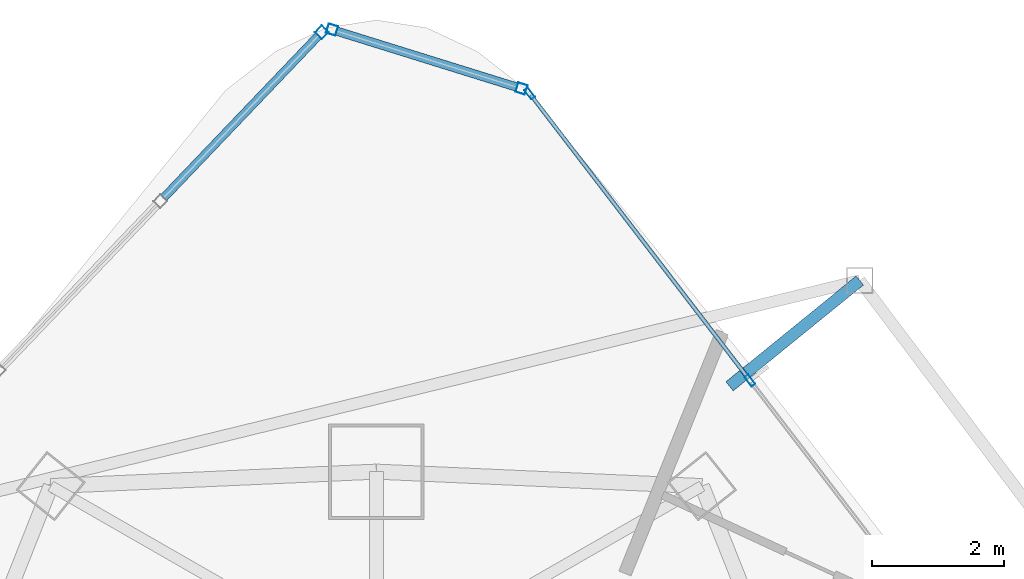
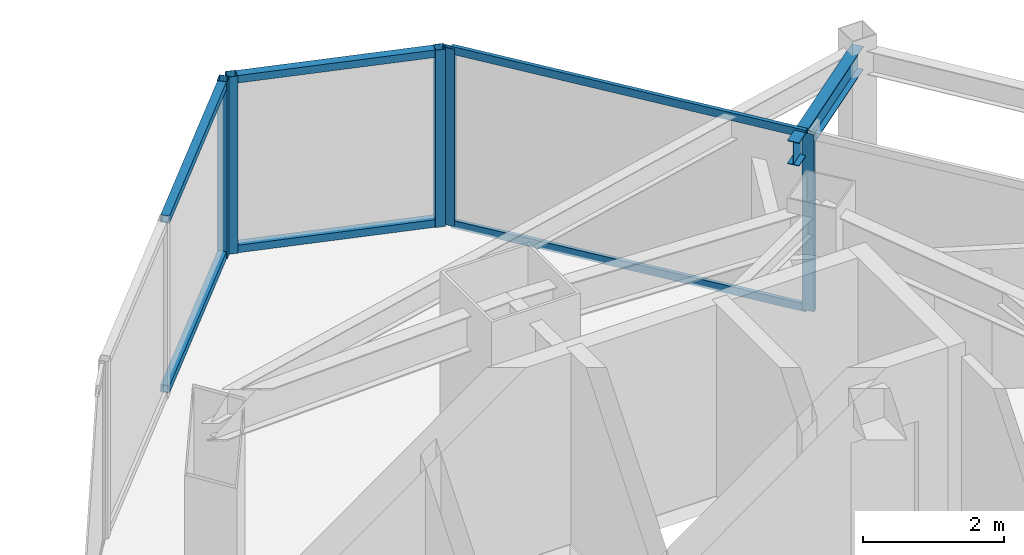
# One storey, part 24 of 31: 11 members, 1 beam, 3 elements without a shape of their own.
"""IFC4 building model written with IfcOpenShell, lengths in metres."""

from ifc_helpers import new_model, si_unit, direction, frame, origin, origin_2d, place, context, subcontext, project, spatial, hollow_rectangle, i_section, extrude, material, layer, layer_set, material_profile, profile_set, type_object, element, aggregate, save


model = new_model("IFC4")

# Units and contexts
model_context = context("Model", 3, precision=1e-05, world=origin(), true_north=direction((0.0, 1.0)))
body_context = subcontext(model_context, "Body", "Model", "MODEL_VIEW")
ifc_project = project(units=[si_unit("LENGTHUNIT", "METRE"), si_unit("AREAUNIT", "SQUARE_METRE"), si_unit("VOLUMEUNIT", "CUBIC_METRE"), si_unit("PLANEANGLEUNIT", "RADIAN"), si_unit("MASSUNIT", "GRAM", prefix="KILO")], contexts=[model_context])

# Site, building, storey
site_placement = place(None, origin())
site = spatial("IfcSite", under=ifc_project, at=site_placement, CompositionType="ELEMENT")
building_placement = place(site_placement, origin())
building = spatial("IfcBuilding", under=site, at=building_placement, Name="Orvanel Arch Residences", CompositionType="ELEMENT")
storey_placement = place(building_placement, frame((0.0, 0.0, 153.949951171875)))
storey = spatial("IfcBuildingStorey", under=building, at=storey_placement, Name="L43", CompositionType="ELEMENT", Elevation=153.949951171875)

# Curtain wall, members
ifc_material_1 = material(Name="Bronze-anodised aluminium AA6063-T6", Category="aluminium")
ifc_layer_1 = layer(ifc_material_1, 0.18994140625)
ifc_layer_set_1 = layer_set([ifc_layer_1], Name="Bronze-anodised aluminium AA6063-T6")
curtain_wall_type_1 = type_object("IfcCurtainWallType", Name="CW5-CRN-SYS", PredefinedType="NOTDEFINED", material=ifc_layer_set_1)
curtain_wall_1_placement = place(storey_placement, origin())
curtain_wall_1 = element("IfcCurtainWall", 1, at=curtain_wall_1_placement, inside=storey, type_object=curtain_wall_type_1, Name="L43 CW5-CRN-SYS Unitised Curtain Wall", PredefinedType="NOTDEFINED")
ifc_material_profile_1 = material_profile(ifc_material_1, hollow_rectangle(XDim=0.14990234375, YDim=0.14990234375, WallThickness=0.0048828125, at=origin_2d()), Name="ALU150x150x5")
ifc_profile_set_1 = profile_set([ifc_material_profile_1], Name="Bronze-anodised aluminium AA6063-T6")
member_type_1 = type_object("IfcMemberType", Name="MUL-150x150", PredefinedType="MULLION", material=ifc_profile_set_1)
member_1_placement = place(storey_placement, frame((35.204345703125, 47.22021484375, 0.0), z_axis=(0.0, 0.0, 1.0), x_axis=(-0.297015336288, -0.954872708799, 0.0)))
member_1 = element("IfcMember", 2, at=member_1_placement, type_object=member_type_1, Name="CW-S5 mullion 1", PredefinedType="MULLION", context=body_context, shape_type="SweptSolid", body=[
    extrude(hollow_rectangle(XDim=0.14990234375, YDim=0.14990234375, WallThickness=0.0048828125, at=origin_2d()), origin(), (0.0, 0.0, 1.0), 3.06005859375),
])
member_2_placement = place(storey_placement, frame((32.32568359375, 48.11572265625, 0.0), z_axis=(0.0, 0.0, 1.0), x_axis=(-0.297015336288, -0.954872708799, 0.0)))
member_2 = element("IfcMember", 3, at=member_2_placement, type_object=member_type_1, Name="CW-S5 mullion 2", PredefinedType="MULLION", context=body_context, shape_type="SweptSolid", body=[
    extrude(hollow_rectangle(XDim=0.14990234375, YDim=0.14990234375, WallThickness=0.0048828125, at=origin_2d()), origin(), (0.0, 0.0, 1.0), 3.06005859375),
])

# Curtain wall, member
curtain_wall_2_placement = place(storey_placement, origin())
curtain_wall_2 = element("IfcCurtainWall", 4, at=curtain_wall_2_placement, inside=storey, type_object=curtain_wall_type_1, Name="L43 CW5-CRN-SYS Unitised Curtain Wall", PredefinedType="NOTDEFINED")
member_3_placement = place(storey_placement, frame((32.169189453125, 48.07568359375, 0.0), z_axis=(0.0, 0.0, 1.0), x_axis=(0.723045752642, -0.69080014446, 0.0)))
member_3 = element("IfcMember", 5, at=member_3_placement, type_object=member_type_1, Name="CW-S5 mullion 1", PredefinedType="MULLION", context=body_context, shape_type="SweptSolid", body=[
    extrude(hollow_rectangle(XDim=0.14990234375, YDim=0.14990234375, WallThickness=0.0048828125, at=origin_2d()), origin(), (0.0, 0.0, 1.0), 3.06005859375),
])

# Curtain wall, members
ifc_layer_2 = layer(ifc_material_1, 0.179931640625)
ifc_layer_set_2 = layer_set([ifc_layer_2], Name="Bronze-anodised aluminium AA6063-T6")
curtain_wall_type_2 = type_object("IfcCurtainWallType", Name="CW3-MID-SYS", PredefinedType="NOTDEFINED", material=ifc_layer_set_2)
curtain_wall_3_placement = place(storey_placement, origin())
curtain_wall_3 = element("IfcCurtainWall", 6, at=curtain_wall_3_placement, inside=storey, type_object=curtain_wall_type_2, Name="L43 CW3-MID-SYS Unitised Curtain Wall", PredefinedType="NOTDEFINED")
ifc_material_profile_2 = material_profile(ifc_material_1, hollow_rectangle(XDim=0.070068359375, YDim=0.179931640625, WallThickness=0.00439453125, at=origin_2d()), Name="ALU180x70x4.5")
ifc_profile_set_2 = profile_set([ifc_material_profile_2], Name="Bronze-anodised aluminium AA6063-T6")
member_type_2 = type_object("IfcMemberType", Name="MUL-180x70", PredefinedType="MULLION", material=ifc_profile_set_2)
member_4_placement = place(storey_placement, frame((38.67822265625, 42.784423828125, 0.0), z_axis=(0.0, 0.0, 1.0), x_axis=(-0.793223434489, -0.608930688155, 0.0)))
member_4 = element("IfcMember", 7, at=member_4_placement, type_object=member_type_2, Name="CW-S3 mullion 3", PredefinedType="MULLION", context=body_context, shape_type="SweptSolid", body=[
    extrude(hollow_rectangle(XDim=0.070068359375, YDim=0.179931640625, WallThickness=0.00439453125, at=origin_2d()), origin(), (0.0, 0.0, 1.0), 3.06005859375),
])
member_5_placement = place(storey_placement, frame((35.328369140625, 47.148193359375, 0.0), z_axis=(0.0, 0.0, 1.0), x_axis=(-0.793223434489, -0.608930688155, 0.0)))
member_5 = element("IfcMember", 8, at=member_5_placement, type_object=member_type_2, Name="CW-S3 mullion 4", PredefinedType="MULLION", context=body_context, shape_type="SweptSolid", body=[
    extrude(hollow_rectangle(XDim=0.070068359375, YDim=0.179931640625, WallThickness=0.00439453125, at=origin_2d()), origin(), (0.0, 0.0, 1.0), 3.06005859375),
])

# Beam
ifc_material_2 = material(Name="Structural steel AS/NZS 3679.1 Grade 300 (300 MPa)", Category="steel")
ifc_material_profile_3 = material_profile(ifc_material_2, i_section(OverallWidth=0.177978515625, OverallDepth=0.406005859375, WebThickness=0.0078125, FlangeThickness=0.0126953125, at=origin_2d()), Name="410UB59.7")
ifc_profile_set_3 = profile_set([ifc_material_profile_3], Name="Structural steel AS/NZS 3679.1 Grade 300 (300 MPa)")
beam_type = type_object("IfcBeamType", Name="OB-410UB-EXT", PredefinedType="SPANDREL", material=ifc_profile_set_3)
beam_placement = place(storey_placement, frame((38.367919921875, 42.695068359375, 2.85693359375), z_axis=(0.776307305292, 0.630354636495, 0.0), x_axis=(-0.630354636495, 0.776307305292, 0.0)))
element("IfcBeam", 9, at=beam_placement, inside=storey, type_object=beam_type, Name="L43 Outer Frame Radial Tie Beam 12", PredefinedType="SPANDREL", context=body_context, shape_type="SweptSolid", body=[
    extrude(i_section(OverallWidth=0.177978515625, OverallDepth=0.406005859375, WebThickness=0.0078125, FlangeThickness=0.0126953125, at=origin_2d()), origin(), (0.0, 0.0, 1.0), 2.54931640625),
])

# Member
ifc_material_profile_4 = material_profile(ifc_material_1, hollow_rectangle(XDim=0.1298828125, YDim=0.1298828125, WallThickness=0.00439453125, at=origin_2d()), Name="ALU130x130x4.5")
ifc_profile_set_4 = profile_set([ifc_material_profile_4], Name="Bronze-anodised aluminium AA6063-T6")
member_type_3 = type_object("IfcMemberType", Name="TRN-130x130", PredefinedType="USERDEFINED", material=ifc_profile_set_4)
member_6_placement = place(storey_placement, frame((35.1328125, 47.242431640625, 0.06494140625), z_axis=(-0.954856776331, 0.297066552636, 0.0), x_axis=(-0.297066552636, -0.954856776331, 0.0)))
member_6 = element("IfcMember", 10, at=member_6_placement, type_object=member_type_3, Name="CW-S5 transom 1.1", ObjectType="TRANSOM", PredefinedType="USERDEFINED", context=body_context, shape_type="SweptSolid", body=[
    extrude(hollow_rectangle(XDim=0.1298828125, YDim=0.1298828125, WallThickness=0.00439453125, at=origin_2d()), origin(), (0.0, 0.0, 1.0), 2.864990234375),
])

member_7_placement = place(storey_placement, frame((35.1328125, 47.242431640625, 2.9951171875), z_axis=(-0.954856776331, 0.297066552636, 0.0), x_axis=(-0.297066552636, -0.954856776331, 0.0)))
member_7 = element("IfcMember", 11, at=member_7_placement, type_object=member_type_3, Name="CW-S5 transom 1.2", ObjectType="TRANSOM", PredefinedType="USERDEFINED", context=body_context, shape_type="SweptSolid", body=[
    extrude(hollow_rectangle(XDim=0.1298828125, YDim=0.1298828125, WallThickness=0.00439453125, at=origin_2d()), origin(), (0.0, 0.0, 1.0), 2.864990234375),
])

aggregate(curtain_wall_1, [member_1, member_2, member_6, member_7])

member_8_placement = place(storey_placement, frame((32.117431640625, 48.021484375, 0.06494140625), z_axis=(-0.690818606402, -0.723028113595, 0.0), x_axis=(0.723028113595, -0.690818606402, 0.0)))
member_8 = element("IfcMember", 12, at=member_8_placement, type_object=member_type_3, Name="CW-S5 transom 1.1", ObjectType="TRANSOM", PredefinedType="USERDEFINED", context=body_context, shape_type="SweptSolid", body=[
    extrude(hollow_rectangle(XDim=0.1298828125, YDim=0.1298828125, WallThickness=0.00439453125, at=origin_2d()), origin(), (0.0, 0.0, 1.0), 3.4033203125),
])

member_9_placement = place(storey_placement, frame((32.117431640625, 48.021484375, 2.9951171875), z_axis=(-0.690818606402, -0.723028113595, 0.0), x_axis=(0.723028113595, -0.690818606402, 0.0)))
member_9 = element("IfcMember", 13, at=member_9_placement, type_object=member_type_3, Name="CW-S5 transom 1.2", ObjectType="TRANSOM", PredefinedType="USERDEFINED", context=body_context, shape_type="SweptSolid", body=[
    extrude(hollow_rectangle(XDim=0.1298828125, YDim=0.1298828125, WallThickness=0.00439453125, at=origin_2d()), origin(), (0.0, 0.0, 1.0), 3.4033203125),
])

aggregate(curtain_wall_2, [member_3, member_8, member_9])

ifc_material_profile_5 = material_profile(ifc_material_1, hollow_rectangle(XDim=0.06005859375, YDim=0.135009765625, WallThickness=0.00390625, at=origin_2d()), Name="ALU135x60x4")
ifc_profile_set_5 = profile_set([ifc_material_profile_5], Name="Bronze-anodised aluminium AA6063-T6")
member_type_4 = type_object("IfcMemberType", Name="TRN-135x60", PredefinedType="USERDEFINED", material=ifc_profile_set_5)
member_10_placement = place(storey_placement, frame((38.656982421875, 42.81201171875, 0.030029296875), z_axis=(-0.608930617314, 0.793223488871, 0.0), x_axis=(-0.793223488871, -0.608930617314, 0.0)))
member_10 = element("IfcMember", 14, at=member_10_placement, type_object=member_type_4, Name="CW-S3 transom 3.1", ObjectType="TRANSOM", PredefinedType="USERDEFINED", context=body_context, shape_type="SweptSolid", body=[
    extrude(hollow_rectangle(XDim=0.06005859375, YDim=0.135009765625, WallThickness=0.00390625, at=origin_2d()), origin(), (0.0, 0.0, 1.0), 5.431396484375),
])

member_11_placement = place(storey_placement, frame((38.656982421875, 42.81201171875, 3.030029296875), z_axis=(-0.608930617314, 0.793223488871, 0.0), x_axis=(-0.793223488871, -0.608930617314, 0.0)))
member_11 = element("IfcMember", 15, at=member_11_placement, type_object=member_type_4, Name="CW-S3 transom 3.2", ObjectType="TRANSOM", PredefinedType="USERDEFINED", context=body_context, shape_type="SweptSolid", body=[
    extrude(hollow_rectangle(XDim=0.06005859375, YDim=0.135009765625, WallThickness=0.00390625, at=origin_2d()), origin(), (0.0, 0.0, 1.0), 5.431396484375),
])

aggregate(curtain_wall_3, [member_4, member_5, member_10, member_11])

save(model, "model.ifc")
